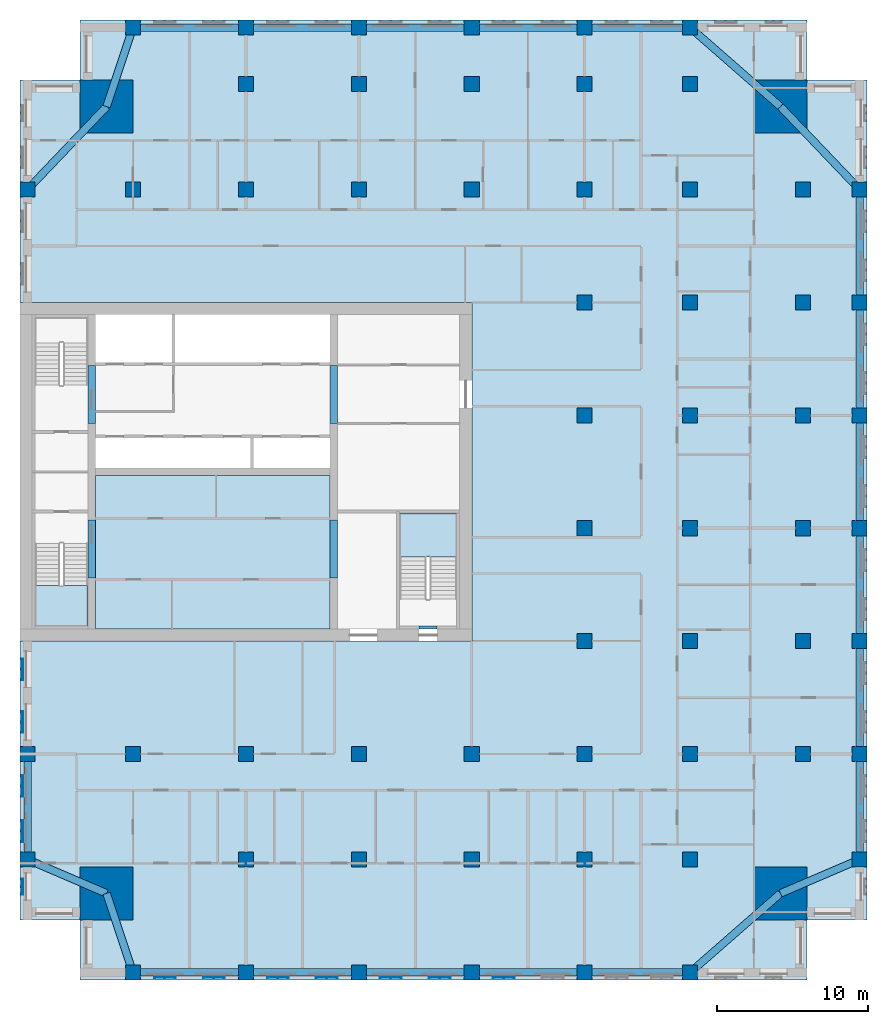
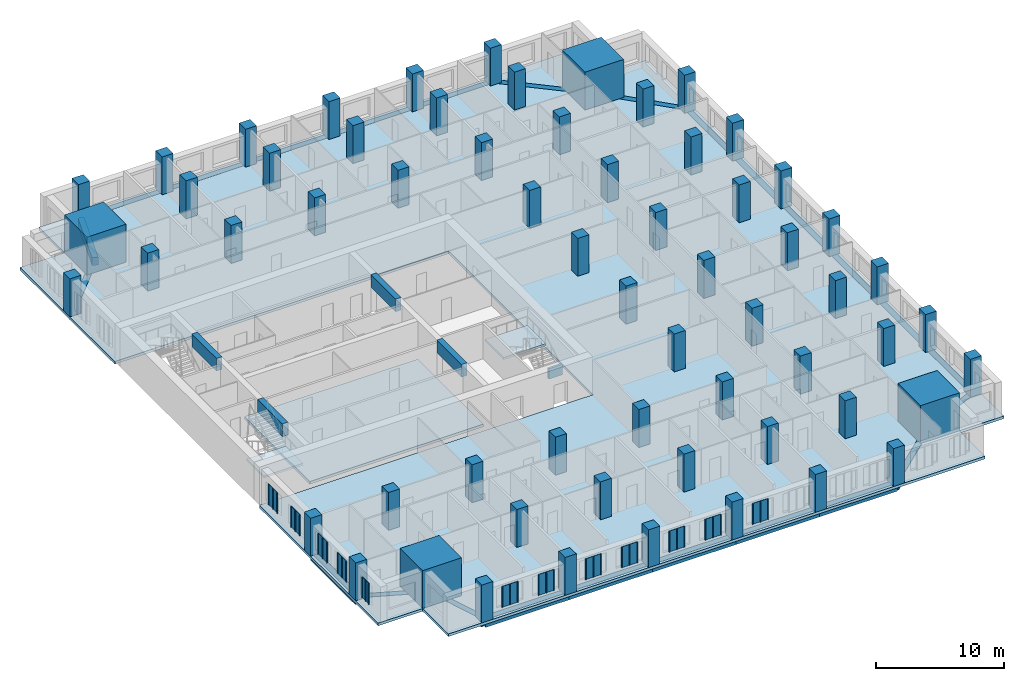
# One storey, part 1 of 14: 62 columns, 30 beams, 12 plates, 4 slabs, 2 elements without a shape of their own.
"""IFC4 building model written with IfcOpenShell, lengths in metres."""

from ifc_helpers import new_model, si_unit, direction, frame, origin, origin_2d, place, context, subcontext, project, spatial, polyline, rectangle, outline, extrude, material, layer, layer_set, material_profile, profile_set, type_object, element, aggregate, save


model = new_model("IFC4")

# Units and contexts
model_context = context("Model", 3, precision=1e-05, world=origin(), true_north=direction((0.0, 1.0)))
body_context = subcontext(model_context, "Body", "Model", "MODEL_VIEW")
ifc_project = project(units=[si_unit("LENGTHUNIT", "METRE"), si_unit("AREAUNIT", "SQUARE_METRE"), si_unit("VOLUMEUNIT", "CUBIC_METRE"), si_unit("PLANEANGLEUNIT", "RADIAN"), si_unit("MASSUNIT", "GRAM", prefix="KILO")], contexts=[model_context])

# Site, building, storey
site_placement = place(None, origin())
site = spatial("IfcSite", under=ifc_project, at=site_placement, CompositionType="ELEMENT")
building_placement = place(site_placement, origin())
building = spatial("IfcBuilding", under=site, at=building_placement, Name="Tamorin Gate", CompositionType="ELEMENT")
storey_placement = place(building_placement, frame((0.0, 0.0, 141.0)))
storey = spatial("IfcBuildingStorey", under=building, at=storey_placement, Name="L34", CompositionType="ELEMENT", Elevation=141.0)

# Columns
ifc_material_1 = material(Name="Concrete C70/85", Category="concrete")
ifc_material_profile_1 = material_profile(ifc_material_1, rectangle(XDim=1.0, YDim=1.0, at=origin_2d()), Name="RC 1000x1000")
ifc_profile_set_1 = profile_set([ifc_material_profile_1], Name="Concrete C70/85")
column_type_1 = type_object("IfcColumnType", Name="RC column 1000x1000 C70/85", PredefinedType="COLUMN", material=ifc_profile_set_1)
for number, where, z_axis, x_axis, name in (
    (1, (85.75, 45.5, 0.0), (0.0, 0.0, 1.0), (1.0, 0.0, 0.0), "Ring column L34"),
    (2, (85.75, 52.5, 0.0), (0.0, 0.0, 1.0), (1.0, 0.0, 0.0), "Ring column L34"),
    (3, (85.75, 60.0, 0.0), (0.0, 0.0, 1.0), (1.0, 0.0, 0.0), "Ring column L34"),
    (4, (85.75, 67.5, 0.0), (0.0, 0.0, 1.0), (1.0, 0.0, 0.0), "Ring column L34"),
    (5, (85.75, 75.0, 0.0), (0.0, 0.0, 1.0), (1.0, 0.0, 0.0), "Ring column L34"),
    (6, (85.75, 82.5, 0.0), (0.0, 0.0, 1.0), (1.0, 0.0, 0.0), "Ring column L34"),
    (7, (85.75, 90.0, 0.0), (0.0, 0.0, 1.0), (1.0, 0.0, 0.0), "Ring column L34"),
    (8, (37.5, 100.75, 0.0), (0.0, 0.0, 1.0), (1.0, 0.0, 0.0), "Ring column L34"),
    (9, (45.0, 100.75, 0.0), (0.0, 0.0, 1.0), (1.0, 0.0, 0.0), "Ring column L34"),
    (10, (52.5, 100.75, 0.0), (0.0, 0.0, 1.0), (1.0, 0.0, 0.0), "Ring column L34"),
    (11, (60.0, 100.75, 0.0), (0.0, 0.0, 1.0), (1.0, 0.0, 0.0), "Ring column L34"),
    (12, (67.5, 100.75, 0.0), (0.0, 0.0, 1.0), (1.0, 0.0, 0.0), "Ring column L34"),
    (13, (74.5, 100.75, 0.0), (0.0, 0.0, 1.0), (1.0, 0.0, 0.0), "Ring column L34"),
    (14, (30.5, 45.5, 0.0), (0.0, 0.0, 1.0), (1.0, 0.0, 0.0), "Ring column L34"),
    (15, (30.5, 52.5, 0.0), (0.0, 0.0, 1.0), (1.0, 0.0, 0.0), "Ring column L34"),
    (16, (30.5, 90.0, 0.0), (0.0, 0.0, 1.0), (1.0, 0.0, 0.0), "Ring column L34"),
    (17, (37.5, 38.0, 0.0), (0.0, 0.0, 1.0), (1.0, 0.0, 0.0), "Ring column L34"),
    (18, (37.5, 52.5, 0.0), (0.0, 0.0, 1.0), (1.0, 0.0, 0.0), "Interior column L34"),
    (19, (37.5, 90.0, 0.0), (0.0, 0.0, 1.0), (1.0, 0.0, 0.0), "Interior column L34"),
    (20, (45.0, 38.0, 0.0), (0.0, 0.0, 1.0), (1.0, 0.0, 0.0), "Ring column L34"),
    (21, (45.0, 45.5, 0.0), (0.0, 0.0, 1.0), (1.0, 0.0, 0.0), "Interior column L34"),
    (22, (45.0, 52.5, 0.0), (0.0, 0.0, 1.0), (1.0, 0.0, 0.0), "Interior column L34"),
    (23, (45.0, 90.0, 0.0), (0.0, 0.0, 1.0), (1.0, 0.0, 0.0), "Interior column L34"),
    (24, (45.0, 97.0, 0.0), (0.0, 0.0, 1.0), (1.0, 0.0, 0.0), "Interior column L34"),
    (25, (52.5, 38.0, 0.0), (0.0, 0.0, 1.0), (1.0, 0.0, 0.0), "Ring column L34"),
    (26, (52.5, 45.5, 0.0), (0.0, 0.0, 1.0), (1.0, 0.0, 0.0), "Interior column L34"),
    (27, (52.5, 52.5, 0.0), (0.0, 0.0, 1.0), (1.0, 0.0, 0.0), "Interior column L34"),
    (28, (52.5, 90.0, 0.0), (0.0, 0.0, 1.0), (1.0, 0.0, 0.0), "Interior column L34"),
    (29, (52.5, 97.0, 0.0), (0.0, 0.0, 1.0), (1.0, 0.0, 0.0), "Interior column L34"),
    (30, (60.0, 38.0, 0.0), (0.0, 0.0, 1.0), (1.0, 0.0, 0.0), "Ring column L34"),
    (31, (60.0, 45.5, 0.0), (0.0, 0.0, 1.0), (1.0, 0.0, 0.0), "Interior column L34"),
    (32, (60.0, 52.5, 0.0), (0.0, 0.0, 1.0), (1.0, 0.0, 0.0), "Interior column L34"),
    (33, (60.0, 90.0, 0.0), (0.0, 0.0, 1.0), (1.0, 0.0, 0.0), "Interior column L34"),
    (34, (60.0, 97.0, 0.0), (0.0, 0.0, 1.0), (1.0, 0.0, 0.0), "Interior column L34"),
    (35, (67.5, 38.0, 0.0), (0.0, 0.0, 1.0), (1.0, 0.0, 0.0), "Ring column L34"),
    (36, (67.5, 45.5, 0.0), (0.0, 0.0, 1.0), (1.0, 0.0, 0.0), "Interior column L34"),
    (37, (67.5, 52.5, 0.0), (0.0, 0.0, 1.0), (1.0, 0.0, 0.0), "Interior column L34"),
    (38, (67.5, 60.0, 0.0), (0.0, 0.0, 1.0), (1.0, 0.0, 0.0), "Interior column L34"),
    (39, (67.5, 67.5, 0.0), (0.0, 0.0, 1.0), (1.0, 0.0, 0.0), "Interior column L34"),
    (40, (67.5, 75.0, 0.0), (0.0, 0.0, 1.0), (1.0, 0.0, 0.0), "Interior column L34"),
    (41, (67.5, 82.5, 0.0), (0.0, 0.0, 1.0), (1.0, 0.0, 0.0), "Interior column L34"),
    (42, (67.5, 90.0, 0.0), (0.0, 0.0, 1.0), (1.0, 0.0, 0.0), "Interior column L34"),
    (43, (67.5, 97.0, 0.0), (0.0, 0.0, 1.0), (1.0, 0.0, 0.0), "Interior column L34"),
    (44, (74.5, 38.0, 0.0), (0.0, 0.0, 1.0), (1.0, 0.0, 0.0), "Ring column L34"),
    (45, (74.5, 45.5, 0.0), (0.0, 0.0, 1.0), (1.0, 0.0, 0.0), "Interior column L34"),
    (46, (74.5, 52.5, 0.0), (0.0, 0.0, 1.0), (1.0, 0.0, 0.0), "Interior column L34"),
    (47, (74.5, 60.0, 0.0), (0.0, 0.0, 1.0), (1.0, 0.0, 0.0), "Interior column L34"),
    (48, (74.5, 67.5, 0.0), (0.0, 0.0, 1.0), (1.0, 0.0, 0.0), "Interior column L34"),
    (49, (74.5, 75.0, 0.0), (0.0, 0.0, 1.0), (1.0, 0.0, 0.0), "Interior column L34"),
    (50, (74.5, 82.5, 0.0), (0.0, 0.0, 1.0), (1.0, 0.0, 0.0), "Interior column L34"),
    (51, (74.5, 90.0, 0.0), (0.0, 0.0, 1.0), (1.0, 0.0, 0.0), "Interior column L34"),
    (52, (74.5, 97.0, 0.0), (0.0, 0.0, 1.0), (1.0, 0.0, 0.0), "Interior column L34"),
    (53, (82.0, 52.5, 0.0), (0.0, 0.0, 1.0), (1.0, 0.0, 0.0), "Interior column L34"),
    (54, (82.0, 60.0, 0.0), (0.0, 0.0, 1.0), (1.0, 0.0, 0.0), "Interior column L34"),
    (55, (82.0, 67.5, 0.0), (0.0, 0.0, 1.0), (1.0, 0.0, 0.0), "Interior column L34"),
    (56, (82.0, 75.0, 0.0), (0.0, 0.0, 1.0), (1.0, 0.0, 0.0), "Interior column L34"),
    (57, (82.0, 82.5, 0.0), (0.0, 0.0, 1.0), (1.0, 0.0, 0.0), "Interior column L34"),
    (58, (82.0, 90.0, 0.0), (0.0, 0.0, 1.0), (1.0, 0.0, 0.0), "Interior column L34"),
):
    element("IfcColumn", number, at=place(storey_placement, frame(where, z_axis=z_axis, x_axis=x_axis)), inside=storey, type_object=column_type_1, Name=name, PredefinedType="COLUMN", context=body_context, shape_type="SweptSolid", body=[
        extrude(rectangle(XDim=1.0, YDim=1.0, at=origin_2d()), origin(), (0.0, 0.0, 1.0), 3.60009765625),
    ])
ifc_material_profile_2 = material_profile(ifc_material_1, rectangle(XDim=3.5, YDim=3.5, at=origin_2d()), Name="RC 3500x3500")
ifc_profile_set_2 = profile_set([ifc_material_profile_2], Name="Concrete C70/85")
column_type_2 = type_object("IfcColumnType", Name="RC column 3500x3500 C70/85", PredefinedType="COLUMN", material=ifc_profile_set_2)
for number, where, z_axis, x_axis, name in (
    (59, (35.75, 43.25, 0.0), (0.0, 0.0, 1.0), (1.0, 0.0, 0.0), "Mega column SW L34"),
    (60, (80.5, 43.25, 0.0), (0.0, 0.0, 1.0), (1.0, 0.0, 0.0), "Mega column SE L34"),
    (61, (35.75, 95.5, 0.0), (0.0, 0.0, 1.0), (1.0, 0.0, 0.0), "Mega column NW L34"),
    (62, (80.5, 95.5, 0.0), (0.0, 0.0, 1.0), (1.0, 0.0, 0.0), "Mega column NE L34"),
):
    element("IfcColumn", number, at=place(storey_placement, frame(where, z_axis=z_axis, x_axis=x_axis)), inside=storey, type_object=column_type_2, Name=name, PredefinedType="COLUMN", context=body_context, shape_type="SweptSolid", body=[
        extrude(rectangle(XDim=3.5, YDim=3.5, at=origin_2d()), origin(), (0.0, 0.0, 1.0), 3.60009765625),
    ])

# Beams
ifc_material_2 = material(Name="Concrete C60/75", Category="concrete")
ifc_material_profile_3 = material_profile(ifc_material_2, rectangle(XDim=0.5, YDim=1.199951171875, at=origin_2d()), Name="RC 500x1200")
ifc_profile_set_3 = profile_set([ifc_material_profile_3], Name="Concrete C60/75")
beam_type_1 = type_object("IfcBeamType", Name="RC coupling beam 500x1200 C60/75", PredefinedType="BEAM", material=ifc_profile_set_3)
for number, where, z_axis, x_axis, name in (
    (63, (34.75, 64.199951171875, 3.0), (0.0, 1.0, 0.0), (-1.0, 0.0, 0.0), "Coupling beam L34"),
    (64, (34.75, 74.449951171875, 3.0), (0.0, 1.0, 0.0), (-1.0, 0.0, 0.0), "Coupling beam L34"),
    (65, (50.85009765625, 64.199951171875, 3.0), (0.0, 1.0, 0.0), (-1.0, 0.0, 0.0), "Coupling beam L34"),
    (66, (50.85009765625, 74.449951171875, 3.0), (0.0, 1.0, 0.0), (-1.0, 0.0, 0.0), "Coupling beam L34"),
):
    element("IfcBeam", number, at=place(storey_placement, frame(where, z_axis=z_axis, x_axis=x_axis)), inside=storey, type_object=beam_type_1, Name=name, PredefinedType="BEAM", context=body_context, shape_type="SweptSolid", body=[
        extrude(rectangle(XDim=0.5, YDim=1.199951171875, at=origin_2d()), origin(), (0.0, 0.0, 1.0), 3.85009765625),
    ])
ifc_material_3 = material(Name="Concrete C50/60", Category="concrete")
ifc_material_profile_4 = material_profile(ifc_material_3, rectangle(XDim=0.5, YDim=0.75, at=origin_2d()), Name="RC 500x750")
ifc_profile_set_4 = profile_set([ifc_material_profile_4], Name="Concrete C50/60")
beam_type_2 = type_object("IfcBeamType", Name="RC spandrel 500x750 C50/60", PredefinedType="BEAM", material=ifc_profile_set_4)
for number, where, z_axis, x_axis, name in (
    (67, (37.5, 38.0, -0.375), (1.0, 0.0, 0.0), (0.0, 1.0, 0.0), "Spandrel beam L34"),
    (68, (45.0, 38.0, -0.375), (1.0, 0.0, 0.0), (0.0, 1.0, 0.0), "Spandrel beam L34"),
    (69, (52.5, 38.0, -0.375), (1.0, 0.0, 0.0), (0.0, 1.0, 0.0), "Spandrel beam L34"),
    (70, (60.0, 38.0, -0.375), (1.0, 0.0, 0.0), (0.0, 1.0, 0.0), "Spandrel beam L34"),
):
    element("IfcBeam", number, at=place(storey_placement, frame(where, z_axis=z_axis, x_axis=x_axis)), inside=storey, type_object=beam_type_2, Name=name, PredefinedType="BEAM", context=body_context, shape_type="SweptSolid", body=[
        extrude(rectangle(XDim=0.5, YDim=0.75, at=origin_2d()), origin(), (0.0, 0.0, 1.0), 7.5),
    ])
for number, where, z_axis, x_axis, name in (
    (71, (67.5, 38.0, -0.375), (1.0, 0.0, 0.0), (0.0, 1.0, 0.0), "Spandrel beam L34"),
    (72, (85.75, 45.5, -0.375), (0.0, 1.0, 0.0), (-1.0, 0.0, 0.0), "Spandrel beam L34"),
):
    element("IfcBeam", number, at=place(storey_placement, frame(where, z_axis=z_axis, x_axis=x_axis)), inside=storey, type_object=beam_type_2, Name=name, PredefinedType="BEAM", context=body_context, shape_type="SweptSolid", body=[
        extrude(rectangle(XDim=0.5, YDim=0.75, at=origin_2d()), origin(), (0.0, 0.0, 1.0), 7.0),
    ])
for number, where, z_axis, x_axis, name in (
    (73, (85.75, 52.5, -0.375), (0.0, 1.0, 0.0), (-1.0, 0.0, 0.0), "Spandrel beam L34"),
    (74, (85.75, 60.0, -0.375), (0.0, 1.0, 0.0), (-1.0, 0.0, 0.0), "Spandrel beam L34"),
    (75, (85.75, 67.5, -0.375), (0.0, 1.0, 0.0), (-1.0, 0.0, 0.0), "Spandrel beam L34"),
    (76, (85.75, 75.0, -0.375), (0.0, 1.0, 0.0), (-1.0, 0.0, 0.0), "Spandrel beam L34"),
    (77, (85.75, 82.5, -0.375), (0.0, 1.0, 0.0), (-1.0, 0.0, 0.0), "Spandrel beam L34"),
):
    element("IfcBeam", number, at=place(storey_placement, frame(where, z_axis=z_axis, x_axis=x_axis)), inside=storey, type_object=beam_type_2, Name=name, PredefinedType="BEAM", context=body_context, shape_type="SweptSolid", body=[
        extrude(rectangle(XDim=0.5, YDim=0.75, at=origin_2d()), origin(), (0.0, 0.0, 1.0), 7.5),
    ])
beam_1_placement = place(storey_placement, frame((74.5, 100.75, -0.375), z_axis=(-1.0, 0.0, 0.0), x_axis=(0.0, -1.0, 0.0)))
element("IfcBeam", 78, at=beam_1_placement, inside=storey, type_object=beam_type_2, Name="Spandrel beam L34", PredefinedType="BEAM", context=body_context, shape_type="SweptSolid", body=[
    extrude(rectangle(XDim=0.5, YDim=0.75, at=origin_2d()), origin(), (0.0, 0.0, 1.0), 7.0),
])
for number, where, z_axis, x_axis, name in (
    (79, (67.5, 100.75, -0.375), (-1.0, 0.0, 0.0), (0.0, -1.0, 0.0), "Spandrel beam L34"),
    (80, (60.0, 100.75, -0.375), (-1.0, 0.0, 0.0), (0.0, -1.0, 0.0), "Spandrel beam L34"),
    (81, (52.5, 100.75, -0.375), (-1.0, 0.0, 0.0), (0.0, -1.0, 0.0), "Spandrel beam L34"),
    (82, (45.0, 100.75, -0.375), (-1.0, 0.0, 0.0), (0.0, -1.0, 0.0), "Spandrel beam L34"),
):
    element("IfcBeam", number, at=place(storey_placement, frame(where, z_axis=z_axis, x_axis=x_axis)), inside=storey, type_object=beam_type_2, Name=name, PredefinedType="BEAM", context=body_context, shape_type="SweptSolid", body=[
        extrude(rectangle(XDim=0.5, YDim=0.75, at=origin_2d()), origin(), (0.0, 0.0, 1.0), 7.5),
    ])
beam_2_placement = place(storey_placement, frame((30.5, 52.5, -0.375), z_axis=(0.0, -1.0, 0.0), x_axis=(1.0, 0.0, 0.0)))
element("IfcBeam", 83, at=beam_2_placement, inside=storey, type_object=beam_type_2, Name="Spandrel beam L34", PredefinedType="BEAM", context=body_context, shape_type="SweptSolid", body=[
    extrude(rectangle(XDim=0.5, YDim=0.75, at=origin_2d()), origin(), (0.0, 0.0, 1.0), 7.0),
])
beam_3_placement = place(storey_placement, frame((35.75, 43.25, -0.375), z_axis=(0.316227766017, -0.948683298051, 0.0), x_axis=(0.948683298051, 0.316227766017, 0.0)))
element("IfcBeam", 84, at=beam_3_placement, inside=storey, type_object=beam_type_2, Name="Corner tie beam L34", PredefinedType="BEAM", context=body_context, shape_type="SweptSolid", body=[
    extrude(rectangle(XDim=0.5, YDim=0.75, at=origin_2d()), origin(), (0.0, 0.0, 1.0), 5.533935546875),
])
for number, where, z_axis, x_axis, name in (
    (85, (35.75, 43.25, -0.375), (-0.919145030018, 0.393919298579, 0.0), (-0.393919298579, -0.919145030018, 0.0), "Corner tie beam L34"),
    (86, (80.5, 43.25, -0.375), (0.919145030018, 0.393919298579, 0.0), (-0.393919298579, 0.919145030018, 0.0), "Corner tie beam L34"),
):
    element("IfcBeam", number, at=place(storey_placement, frame(where, z_axis=z_axis, x_axis=x_axis)), inside=storey, type_object=beam_type_2, Name=name, PredefinedType="BEAM", context=body_context, shape_type="SweptSolid", body=[
        extrude(rectangle(XDim=0.5, YDim=0.75, at=origin_2d()), origin(), (0.0, 0.0, 1.0), 5.7119140625),
    ])
beam_4_placement = place(storey_placement, frame((80.5, 43.25, -0.375), z_axis=(-0.752576694707, -0.658504607869, 0.0), x_axis=(0.658504607869, -0.752576694707, 0.0)))
element("IfcBeam", 87, at=beam_4_placement, inside=storey, type_object=beam_type_2, Name="Corner tie beam L34", PredefinedType="BEAM", context=body_context, shape_type="SweptSolid", body=[
    extrude(rectangle(XDim=0.5, YDim=0.75, at=origin_2d()), origin(), (0.0, 0.0, 1.0), 7.97265625),
])
beam_5_placement = place(storey_placement, frame((35.75, 95.5, -0.375), z_axis=(0.316227766017, 0.948683298051, 0.0), x_axis=(-0.948683298051, 0.316227766017, 0.0)))
element("IfcBeam", 88, at=beam_5_placement, inside=storey, type_object=beam_type_2, Name="Corner tie beam L34", PredefinedType="BEAM", context=body_context, shape_type="SweptSolid", body=[
    extrude(rectangle(XDim=0.5, YDim=0.75, at=origin_2d()), origin(), (0.0, 0.0, 1.0), 5.533935546875),
])
for number, where, z_axis, x_axis, name in (
    (89, (35.75, 95.5, -0.375), (-0.690475746683, -0.723355544144, 0.0), (0.723355544144, -0.690475746683, 0.0), "Corner tie beam L34"),
    (90, (80.5, 95.5, -0.375), (0.690475746683, -0.723355544144, 0.0), (0.723355544144, 0.690475746683, 0.0), "Corner tie beam L34"),
):
    element("IfcBeam", number, at=place(storey_placement, frame(where, z_axis=z_axis, x_axis=x_axis)), inside=storey, type_object=beam_type_2, Name=name, PredefinedType="BEAM", context=body_context, shape_type="SweptSolid", body=[
        extrude(rectangle(XDim=0.5, YDim=0.75, at=origin_2d()), origin(), (0.0, 0.0, 1.0), 7.603515625),
    ])
beam_6_placement = place(storey_placement, frame((80.5, 95.5, -0.375), z_axis=(-0.752576694707, 0.658504607869, 0.0), x_axis=(-0.658504607869, -0.752576694707, 0.0)))
element("IfcBeam", 91, at=beam_6_placement, inside=storey, type_object=beam_type_2, Name="Corner tie beam L34", PredefinedType="BEAM", context=body_context, shape_type="SweptSolid", body=[
    extrude(rectangle(XDim=0.5, YDim=0.75, at=origin_2d()), origin(), (0.0, 0.0, 1.0), 7.97265625),
])
ifc_material_profile_5 = material_profile(ifc_material_2, rectangle(XDim=0.199951171875, YDim=1.0, at=origin_2d()))
ifc_profile_set_5 = profile_set([ifc_material_profile_5], Name="Concrete C60/75")
beam_type_3 = type_object("IfcBeamType", Name="Stair lintel 200x1000 C60/75", PredefinedType="BEAM", material=ifc_profile_set_5)
beam_7_placement = place(storey_placement, frame((56.5, 60.89990234375, 2.699951171875), z_axis=(1.0, 0.0, 0.0), x_axis=(0.0, 1.0, 0.0)))
element("IfcBeam", 92, at=beam_7_placement, inside=storey, type_object=beam_type_3, Name="Stair lintel", PredefinedType="BEAM", context=body_context, shape_type="SweptSolid", body=[
    extrude(rectangle(XDim=0.199951171875, YDim=1.0, at=origin_2d()), origin(), (0.0, 0.0, 1.0), 1.199951171875),
])

# Slab
ifc_material_4 = material(Name="Concrete C40/50", Category="concrete")
ifc_layer_1 = layer(ifc_material_4, 0.25)
ifc_layer_set_1 = layer_set([ifc_layer_1], Name="Core floor slab 250 C40/50")
slab_type_1 = type_object("IfcSlabType", Name="Core floor slab 250 C40/50", PredefinedType="FLOOR", material=ifc_layer_set_1)
slab_1_placement = place(storey_placement, frame((0.0, 0.0, -0.25)))
element("IfcSlab", 93, at=slab_1_placement, inside=storey, type_object=slab_type_1, Name="Core floor L34", PredefinedType="FLOOR", context=body_context, shape_type="SweptSolid", body=[
    extrude(outline(polyline([(50.60009765625, 71.0), (50.60009765625, 60.800048828125), (35.0, 60.800048828125), (35.0, 71.0), (50.60009765625, 71.0)])), origin(), (0.0, 0.0, 1.0), 0.25),
])

# Stair, slab
stair_type = type_object("IfcStairType", Name="Exit stair", PredefinedType="HALF_TURN_STAIR", material=ifc_material_4)
stair_1_placement = place(storey_placement, origin())
stair_1 = element("IfcStair", 94, at=stair_1_placement, inside=storey, type_object=stair_type, Name="L34 stair ST1", PredefinedType="HALF_TURN_STAIR")
ifc_layer_2 = layer(ifc_material_4, 0.199951171875)
ifc_layer_set_2 = layer_set([ifc_layer_2], Name="Exit stair landing 200")
slab_type_2 = type_object("IfcSlabType", Name="Exit stair landing 200", PredefinedType="LANDING", material=ifc_layer_set_2)
slab_2_placement = place(storey_placement, frame((0.0, 0.0, 1.60009765625)))
slab_2 = element("IfcSlab", 95, at=slab_2_placement, type_object=slab_type_2, Name="ST1 landing 1", PredefinedType="LANDING", context=body_context, shape_type="SweptSolid", body=[
    extrude(outline(polyline([(31.0, 63.699951171875), (31.0, 61.0), (34.5, 61.0), (34.5, 63.699951171875), (31.0, 63.699951171875)])), origin(), (0.0, 0.0, 1.0), 0.199951171875),
])
aggregate(stair_1, [slab_2])

stair_2_placement = place(storey_placement, origin())
stair_2 = element("IfcStair", 96, at=stair_2_placement, inside=storey, type_object=stair_type, Name="L34 stair ST3", PredefinedType="HALF_TURN_STAIR")
slab_3_placement = place(storey_placement, frame((0.0, 0.0, 1.60009765625)))
slab_3 = element("IfcSlab", 97, at=slab_3_placement, type_object=slab_type_2, Name="ST3 landing 1", PredefinedType="LANDING", context=body_context, shape_type="SweptSolid", body=[
    extrude(outline(polyline([(59.0, 65.60009765625), (59.0, 68.5), (55.199951171875, 68.5), (55.199951171875, 65.60009765625), (59.0, 65.60009765625)])), origin(), (0.0, 0.0, 1.0), 0.199951171875),
])
aggregate(stair_2, [slab_3])

# Slab
ifc_layer_3 = layer(ifc_material_4, 0.25)
ifc_layer_set_3 = layer_set([ifc_layer_3], Name="Floor slab 250 C40/50")
slab_type_3 = type_object("IfcSlabType", Name="Floor slab 250 C40/50", PredefinedType="FLOOR", material=ifc_layer_set_3)
slab_4_placement = place(storey_placement, frame((0.0, 0.0, -0.25)))
element("IfcSlab", 98, at=slab_4_placement, inside=storey, type_object=slab_type_3, Name="Floor L34", PredefinedType="FLOOR", context=body_context, shape_type="SweptSolid", body=[
    extrude(outline(polyline([(30.0, 97.25), (34.0, 97.25), (34.0, 101.25), (82.25, 101.25), (82.25, 97.25), (86.25, 97.25), (86.25, 41.5), (82.25, 41.5), (82.25, 37.5), (34.0, 37.5), (34.0, 41.5), (30.0, 41.5), (30.0, 60.0), (60.0, 60.0), (60.0, 82.5), (30.0, 82.5), (30.0, 97.25)])), origin(), (0.0, 0.0, 1.0), 0.25),
])

# Plates
ifc_material_5 = material(Name="Perforated pale aluminium sheet", Category="aluminium")
ifc_layer_4 = layer(ifc_material_5, 0.0400390625)
ifc_layer_set_4 = layer_set([ifc_layer_4], Name="Pale metal solar screen 1080")
plate_type_1 = type_object("IfcPlateType", Name="Pale metal solar screen 1080", PredefinedType="SHEET", material=ifc_layer_set_4)
plate_1_placement = place(storey_placement, frame((0.0, 0.0, 0.7099609375)))
element("IfcPlate", 99, at=plate_1_placement, inside=storey, type_object=plate_type_1, Name="Perforated solar screen", PredefinedType="SHEET", context=body_context, shape_type="SweptSolid", body=[
    extrude(outline(polyline([(30.159912109375, 44.239990234375), (30.199951171875, 44.239990234375), (30.199951171875, 44.179931640625), (30.199951171875, 43.72998046875), (30.199951171875, 43.669921875), (30.199951171875, 43.219970703125), (30.199951171875, 43.159912109375), (30.159912109375, 43.159912109375), (30.10009765625, 43.159912109375), (30.10009765625, 43.219970703125), (30.159912109375, 43.219970703125), (30.159912109375, 43.669921875), (30.10009765625, 43.669921875), (30.10009765625, 43.72998046875), (30.159912109375, 43.72998046875), (30.159912109375, 44.179931640625), (30.10009765625, 44.179931640625), (30.10009765625, 44.239990234375), (30.159912109375, 44.239990234375)])), origin(), (0.0, 0.0, 1.0), 1.97998046875),
])
ifc_layer_5 = layer(ifc_material_5, 0.0400390625)
ifc_layer_set_5 = layer_set([ifc_layer_5], Name="Pale metal solar screen 1440")
plate_type_2 = type_object("IfcPlateType", Name="Pale metal solar screen 1440", PredefinedType="SHEET", material=ifc_layer_set_5)
plate_2_placement = place(storey_placement, frame((0.0, 0.0, 0.7099609375)))
element("IfcPlate", 100, at=plate_2_placement, inside=storey, type_object=plate_type_2, Name="Perforated solar screen", PredefinedType="SHEET", context=body_context, shape_type="SweptSolid", body=[
    extrude(outline(polyline([(38.905029296875, 37.659912109375), (38.905029296875, 37.699951171875), (38.965087890625, 37.699951171875), (39.594970703125, 37.699951171875), (39.655029296875, 37.699951171875), (40.284912109375, 37.699951171875), (40.344970703125, 37.699951171875), (40.344970703125, 37.699951171875), (40.344970703125, 37.659912109375), (40.344970703125, 37.659912109375), (40.344970703125, 37.60009765625), (40.284912109375, 37.60009765625), (40.284912109375, 37.659912109375), (39.655029296875, 37.659912109375), (39.655029296875, 37.60009765625), (39.594970703125, 37.60009765625), (39.594970703125, 37.659912109375), (38.965087890625, 37.659912109375), (38.965087890625, 37.60009765625), (38.905029296875, 37.60009765625), (38.905029296875, 37.659912109375)])), origin(), (0.0, 0.0, 1.0), 1.97998046875),
])
plate_3_placement = place(storey_placement, frame((0.0, 0.0, 0.7099609375)))
element("IfcPlate", 101, at=plate_3_placement, inside=storey, type_object=plate_type_2, Name="Perforated solar screen", PredefinedType="SHEET", context=body_context, shape_type="SweptSolid", body=[
    extrude(outline(polyline([(42.155029296875, 37.659912109375), (42.155029296875, 37.699951171875), (42.215087890625, 37.699951171875), (42.844970703125, 37.699951171875), (42.905029296875, 37.699951171875), (43.534912109375, 37.699951171875), (43.594970703125, 37.699951171875), (43.594970703125, 37.659912109375), (43.594970703125, 37.60009765625), (43.534912109375, 37.60009765625), (43.534912109375, 37.659912109375), (42.905029296875, 37.659912109375), (42.905029296875, 37.60009765625), (42.844970703125, 37.60009765625), (42.844970703125, 37.659912109375), (42.215087890625, 37.659912109375), (42.215087890625, 37.60009765625), (42.155029296875, 37.60009765625), (42.155029296875, 37.659912109375)])), origin(), (0.0, 0.0, 1.0), 1.97998046875),
])
plate_4_placement = place(storey_placement, frame((0.0, 0.0, 0.7099609375)))
element("IfcPlate", 102, at=plate_4_placement, inside=storey, type_object=plate_type_2, Name="Perforated solar screen", PredefinedType="SHEET", context=body_context, shape_type="SweptSolid", body=[
    extrude(outline(polyline([(46.405029296875, 37.659912109375), (46.405029296875, 37.699951171875), (46.465087890625, 37.699951171875), (47.094970703125, 37.699951171875), (47.155029296875, 37.699951171875), (47.784912109375, 37.699951171875), (47.844970703125, 37.699951171875), (47.844970703125, 37.659912109375), (47.844970703125, 37.60009765625), (47.784912109375, 37.60009765625), (47.784912109375, 37.659912109375), (47.155029296875, 37.659912109375), (47.155029296875, 37.60009765625), (47.094970703125, 37.60009765625), (47.094970703125, 37.659912109375), (46.465087890625, 37.659912109375), (46.465087890625, 37.60009765625), (46.405029296875, 37.60009765625), (46.405029296875, 37.659912109375)])), origin(), (0.0, 0.0, 1.0), 1.97998046875),
])
plate_5_placement = place(storey_placement, frame((0.0, 0.0, 0.7099609375)))
element("IfcPlate", 103, at=plate_5_placement, inside=storey, type_object=plate_type_2, Name="Perforated solar screen", PredefinedType="SHEET", context=body_context, shape_type="SweptSolid", body=[
    extrude(outline(polyline([(49.655029296875, 37.659912109375), (49.655029296875, 37.699951171875), (49.715087890625, 37.699951171875), (50.344970703125, 37.699951171875), (50.405029296875, 37.699951171875), (51.034912109375, 37.699951171875), (51.094970703125, 37.699951171875), (51.094970703125, 37.659912109375), (51.094970703125, 37.60009765625), (51.034912109375, 37.60009765625), (51.034912109375, 37.659912109375), (50.405029296875, 37.659912109375), (50.405029296875, 37.60009765625), (50.344970703125, 37.60009765625), (50.344970703125, 37.659912109375), (49.715087890625, 37.659912109375), (49.715087890625, 37.60009765625), (49.655029296875, 37.60009765625), (49.655029296875, 37.659912109375)])), origin(), (0.0, 0.0, 1.0), 1.97998046875),
])
plate_6_placement = place(storey_placement, frame((0.0, 0.0, 0.7099609375)))
element("IfcPlate", 104, at=plate_6_placement, inside=storey, type_object=plate_type_2, Name="Perforated solar screen", PredefinedType="SHEET", context=body_context, shape_type="SweptSolid", body=[
    extrude(outline(polyline([(53.905029296875, 37.659912109375), (53.905029296875, 37.699951171875), (53.965087890625, 37.699951171875), (54.594970703125, 37.699951171875), (54.655029296875, 37.699951171875), (55.284912109375, 37.699951171875), (55.344970703125, 37.699951171875), (55.344970703125, 37.659912109375), (55.344970703125, 37.60009765625), (55.284912109375, 37.60009765625), (55.284912109375, 37.659912109375), (54.655029296875, 37.659912109375), (54.655029296875, 37.60009765625), (54.594970703125, 37.60009765625), (54.594970703125, 37.659912109375), (53.965087890625, 37.659912109375), (53.965087890625, 37.60009765625), (53.905029296875, 37.60009765625), (53.905029296875, 37.659912109375)])), origin(), (0.0, 0.0, 1.0), 1.97998046875),
])
plate_7_placement = place(storey_placement, frame((0.0, 0.0, 0.7099609375)))
element("IfcPlate", 105, at=plate_7_placement, inside=storey, type_object=plate_type_2, Name="Perforated solar screen", PredefinedType="SHEET", context=body_context, shape_type="SweptSolid", body=[
    extrude(outline(polyline([(57.155029296875, 37.659912109375), (57.155029296875, 37.699951171875), (57.215087890625, 37.699951171875), (57.844970703125, 37.699951171875), (57.905029296875, 37.699951171875), (58.534912109375, 37.699951171875), (58.594970703125, 37.699951171875), (58.594970703125, 37.659912109375), (58.594970703125, 37.60009765625), (58.534912109375, 37.60009765625), (58.534912109375, 37.659912109375), (57.905029296875, 37.659912109375), (57.905029296875, 37.60009765625), (57.844970703125, 37.60009765625), (57.844970703125, 37.659912109375), (57.215087890625, 37.659912109375), (57.215087890625, 37.60009765625), (57.155029296875, 37.60009765625), (57.155029296875, 37.659912109375)])), origin(), (0.0, 0.0, 1.0), 1.97998046875),
])
plate_8_placement = place(storey_placement, frame((0.0, 0.0, 0.7099609375)))
element("IfcPlate", 106, at=plate_8_placement, inside=storey, type_object=plate_type_2, Name="Perforated solar screen", PredefinedType="SHEET", context=body_context, shape_type="SweptSolid", body=[
    extrude(outline(polyline([(61.405029296875, 37.659912109375), (61.405029296875, 37.699951171875), (61.465087890625, 37.699951171875), (62.094970703125, 37.699951171875), (62.155029296875, 37.699951171875), (62.784912109375, 37.699951171875), (62.844970703125, 37.699951171875), (62.844970703125, 37.659912109375), (62.844970703125, 37.60009765625), (62.784912109375, 37.60009765625), (62.784912109375, 37.659912109375), (62.155029296875, 37.659912109375), (62.155029296875, 37.60009765625), (62.094970703125, 37.60009765625), (62.094970703125, 37.659912109375), (61.465087890625, 37.659912109375), (61.465087890625, 37.60009765625), (61.405029296875, 37.60009765625), (61.405029296875, 37.659912109375)])), origin(), (0.0, 0.0, 1.0), 1.97998046875),
])
plate_9_placement = place(storey_placement, frame((0.0, 0.0, 0.7099609375)))
element("IfcPlate", 107, at=plate_9_placement, inside=storey, type_object=plate_type_2, Name="Perforated solar screen", PredefinedType="SHEET", context=body_context, shape_type="SweptSolid", body=[
    extrude(outline(polyline([(30.159912109375, 55.344970703125), (30.199951171875, 55.344970703125), (30.199951171875, 55.284912109375), (30.199951171875, 54.655029296875), (30.199951171875, 54.594970703125), (30.199951171875, 53.965087890625), (30.199951171875, 53.905029296875), (30.159912109375, 53.905029296875), (30.10009765625, 53.905029296875), (30.10009765625, 53.965087890625), (30.159912109375, 53.965087890625), (30.159912109375, 54.594970703125), (30.10009765625, 54.594970703125), (30.10009765625, 54.655029296875), (30.159912109375, 54.655029296875), (30.159912109375, 55.284912109375), (30.10009765625, 55.284912109375), (30.10009765625, 55.344970703125), (30.159912109375, 55.344970703125)])), origin(), (0.0, 0.0, 1.0), 1.97998046875),
])
plate_10_placement = place(storey_placement, frame((0.0, 0.0, 0.7099609375)))
element("IfcPlate", 108, at=plate_10_placement, inside=storey, type_object=plate_type_2, Name="Perforated solar screen", PredefinedType="SHEET", context=body_context, shape_type="SweptSolid", body=[
    extrude(outline(polyline([(30.159912109375, 58.844970703125), (30.199951171875, 58.844970703125), (30.199951171875, 58.784912109375), (30.199951171875, 58.155029296875), (30.199951171875, 58.094970703125), (30.199951171875, 57.465087890625), (30.199951171875, 57.405029296875), (30.159912109375, 57.405029296875), (30.10009765625, 57.405029296875), (30.10009765625, 57.465087890625), (30.159912109375, 57.465087890625), (30.159912109375, 58.094970703125), (30.10009765625, 58.094970703125), (30.10009765625, 58.155029296875), (30.159912109375, 58.155029296875), (30.159912109375, 58.784912109375), (30.10009765625, 58.784912109375), (30.10009765625, 58.844970703125), (30.159912109375, 58.844970703125)])), origin(), (0.0, 0.0, 1.0), 1.97998046875),
])
plate_11_placement = place(storey_placement, frame((0.0, 0.0, 0.7099609375)))
element("IfcPlate", 109, at=plate_11_placement, inside=storey, type_object=plate_type_2, Name="Perforated solar screen", PredefinedType="SHEET", context=body_context, shape_type="SweptSolid", body=[
    extrude(outline(polyline([(30.159912109375, 48.094970703125), (30.199951171875, 48.094970703125), (30.199951171875, 48.034912109375), (30.199951171875, 47.405029296875), (30.199951171875, 47.344970703125), (30.199951171875, 46.715087890625), (30.199951171875, 46.655029296875), (30.159912109375, 46.655029296875), (30.10009765625, 46.655029296875), (30.10009765625, 46.715087890625), (30.159912109375, 46.715087890625), (30.159912109375, 47.344970703125), (30.10009765625, 47.344970703125), (30.10009765625, 47.405029296875), (30.159912109375, 47.405029296875), (30.159912109375, 48.034912109375), (30.10009765625, 48.034912109375), (30.10009765625, 48.094970703125), (30.159912109375, 48.094970703125)])), origin(), (0.0, 0.0, 1.0), 1.97998046875),
])
plate_12_placement = place(storey_placement, frame((0.0, 0.0, 0.7099609375)))
element("IfcPlate", 110, at=plate_12_placement, inside=storey, type_object=plate_type_2, Name="Perforated solar screen", PredefinedType="SHEET", context=body_context, shape_type="SweptSolid", body=[
    extrude(outline(polyline([(30.159912109375, 51.094970703125), (30.199951171875, 51.094970703125), (30.199951171875, 51.034912109375), (30.199951171875, 50.405029296875), (30.199951171875, 50.344970703125), (30.199951171875, 49.715087890625), (30.199951171875, 49.655029296875), (30.159912109375, 49.655029296875), (30.10009765625, 49.655029296875), (30.10009765625, 49.715087890625), (30.159912109375, 49.715087890625), (30.159912109375, 50.344970703125), (30.10009765625, 50.344970703125), (30.10009765625, 50.405029296875), (30.159912109375, 50.405029296875), (30.159912109375, 51.034912109375), (30.10009765625, 51.034912109375), (30.10009765625, 51.094970703125), (30.159912109375, 51.094970703125)])), origin(), (0.0, 0.0, 1.0), 1.97998046875),
])

save(model, "model.ifc")
